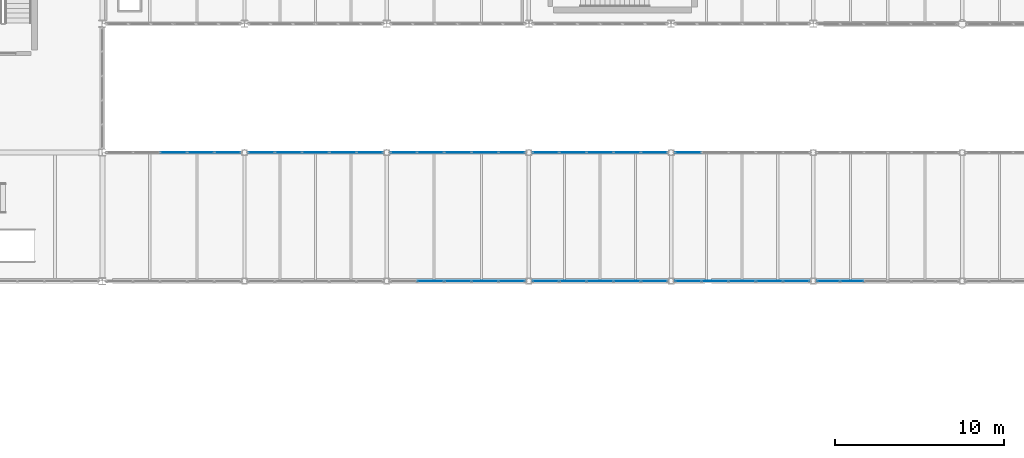
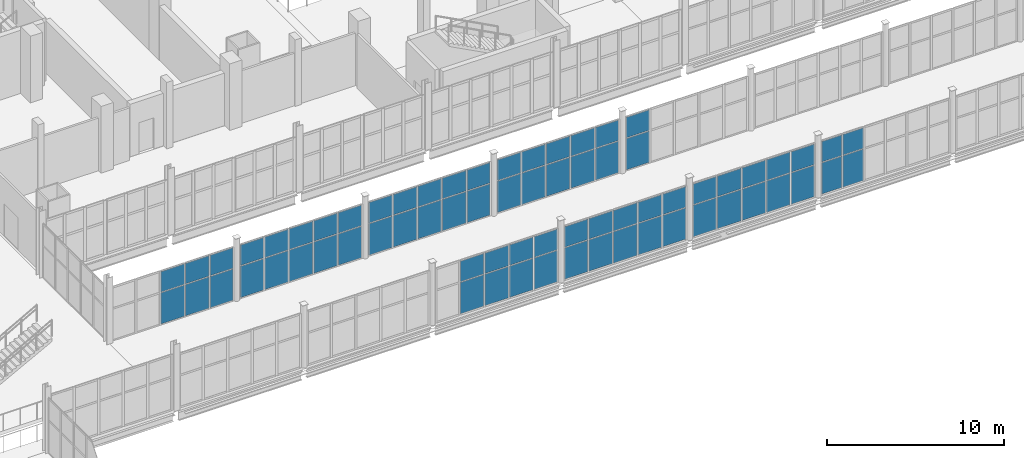
# One storey, part 130 of 172: 70 plates, 9 elements without a shape of their own.
"""IFC4 building model written with IfcOpenShell, lengths in metres."""

from ifc_helpers import new_model, si_unit, direction, frame, origin, origin_2d, place, context, subcontext, project, spatial, rectangle, extrude, material, layer, layer_set, type_object, element, aggregate, save


model = new_model("IFC4")

# Units and contexts
model_context = context("Model", 3, precision=1e-05, world=origin(), true_north=direction((0.0, 1.0)))
body_context = subcontext(model_context, "Body", "Model", "MODEL_VIEW")
ifc_project = project(units=[si_unit("LENGTHUNIT", "METRE"), si_unit("AREAUNIT", "SQUARE_METRE"), si_unit("VOLUMEUNIT", "CUBIC_METRE"), si_unit("PLANEANGLEUNIT", "RADIAN"), si_unit("MASSUNIT", "GRAM", prefix="KILO")], contexts=[model_context])

# Site, building, storey
site_placement = place(None, origin())
site = spatial("IfcSite", under=ifc_project, at=site_placement, CompositionType="ELEMENT")
building_placement = place(site_placement, origin())
building = spatial("IfcBuilding", under=site, at=building_placement, Name="Shengluoqiao Park Theatre", CompositionType="ELEMENT")
storey_placement = place(building_placement, frame((0.0, 0.0, 5.39990234375)))
storey = spatial("IfcBuildingStorey", under=building, at=storey_placement, Name="L01", CompositionType="ELEMENT", Elevation=5.39990234375)

# Curtain wall, plates
ifc_material_1 = material(Name="Aluminium 6063-T6", Category="aluminium")
curtain_wall_type = type_object("IfcCurtainWallType", Name="ENV-CW-BRIDGE", PredefinedType="NOTDEFINED", material=ifc_material_1)
curtain_wall_1_placement = place(storey_placement, origin())
curtain_wall_1 = element("IfcCurtainWall", 1, at=curtain_wall_1_placement, inside=storey, type_object=curtain_wall_type, Name="L01 Curtain Wall CWX-L01-0125", PredefinedType="NOTDEFINED")
ifc_material_2 = material(Name="Insulated glass", Category="glass")
ifc_layer = layer(ifc_material_2, 0.0380859375, Name="Insulated glass")
ifc_layer_set = layer_set([ifc_layer], Name="Insulated glass")
plate_type = type_object("IfcPlateType", Name="ENV-GLZ-GL-38", PredefinedType="CURTAIN_PANEL", material=ifc_layer_set)
plate_1_placement = place(storey_placement, frame((63.792724609375, 53.199951171875, 0.06005859375), z_axis=(0.0, 0.0, 1.0), x_axis=(1.0, 0.0, 0.0)))
plate_1 = element("IfcPlate", 2, at=plate_1_placement, type_object=plate_type, Name="CW-03 panel 2.1", PredefinedType="CURTAIN_PANEL", context=body_context, shape_type="SweptSolid", body=[
    extrude(rectangle(XDim=1.547119140625, YDim=0.0380859375, at=origin_2d()), origin(), (0.0, 0.0, 1.0), 2.160888671875),
])
plate_2_placement = place(storey_placement, frame((63.792724609375, 53.199951171875, 2.28125), z_axis=(0.0, 0.0, 1.0), x_axis=(1.0, 0.0, 0.0)))
plate_2 = element("IfcPlate", 3, at=plate_2_placement, type_object=plate_type, Name="CW-03 panel 2.2", PredefinedType="CURTAIN_PANEL", context=body_context, shape_type="SweptSolid", body=[
    extrude(rectangle(XDim=1.547119140625, YDim=0.0380859375, at=origin_2d()), origin(), (0.0, 0.0, 1.0), 1.410888671875),
])
plate_3_placement = place(storey_placement, frame((65.39990234375, 53.199951171875, 0.06005859375), z_axis=(0.0, 0.0, 1.0), x_axis=(1.0, 0.0, 0.0)))
plate_3 = element("IfcPlate", 4, at=plate_3_placement, type_object=plate_type, Name="CW-03 panel 3.1", PredefinedType="CURTAIN_PANEL", context=body_context, shape_type="SweptSolid", body=[
    extrude(rectangle(XDim=1.547119140625, YDim=0.0380859375, at=origin_2d()), origin(), (0.0, 0.0, 1.0), 2.160888671875),
])
plate_4_placement = place(storey_placement, frame((65.39990234375, 53.199951171875, 2.28125), z_axis=(0.0, 0.0, 1.0), x_axis=(1.0, 0.0, 0.0)))
plate_4 = element("IfcPlate", 5, at=plate_4_placement, type_object=plate_type, Name="CW-03 panel 3.2", PredefinedType="CURTAIN_PANEL", context=body_context, shape_type="SweptSolid", body=[
    extrude(rectangle(XDim=1.547119140625, YDim=0.0380859375, at=origin_2d()), origin(), (0.0, 0.0, 1.0), 1.410888671875),
])
plate_5_placement = place(storey_placement, frame((67.007080078125, 53.199951171875, 0.06005859375), z_axis=(0.0, 0.0, 1.0), x_axis=(1.0, 0.0, 0.0)))
plate_5 = element("IfcPlate", 6, at=plate_5_placement, type_object=plate_type, Name="CW-03 panel 4.1", PredefinedType="CURTAIN_PANEL", context=body_context, shape_type="SweptSolid", body=[
    extrude(rectangle(XDim=1.547119140625, YDim=0.0380859375, at=origin_2d()), origin(), (0.0, 0.0, 1.0), 2.160888671875),
])
plate_6_placement = place(storey_placement, frame((67.007080078125, 53.199951171875, 2.28125), z_axis=(0.0, 0.0, 1.0), x_axis=(1.0, 0.0, 0.0)))
plate_6 = element("IfcPlate", 7, at=plate_6_placement, type_object=plate_type, Name="CW-03 panel 4.2", PredefinedType="CURTAIN_PANEL", context=body_context, shape_type="SweptSolid", body=[
    extrude(rectangle(XDim=1.547119140625, YDim=0.0380859375, at=origin_2d()), origin(), (0.0, 0.0, 1.0), 1.410888671875),
])
plate_7_placement = place(storey_placement, frame((68.599365234375, 53.199951171875, 0.06005859375), z_axis=(0.0, 0.0, 1.0), x_axis=(1.0, 0.0, 0.0)))
plate_7 = element("IfcPlate", 8, at=plate_7_placement, type_object=plate_type, Name="CW-03 panel 5.1", PredefinedType="CURTAIN_PANEL", context=body_context, shape_type="SweptSolid", body=[
    extrude(rectangle(XDim=1.51708984375, YDim=0.0380859375, at=origin_2d()), origin(), (0.0, 0.0, 1.0), 2.160888671875),
])
plate_8_placement = place(storey_placement, frame((68.599365234375, 53.199951171875, 2.28125), z_axis=(0.0, 0.0, 1.0), x_axis=(1.0, 0.0, 0.0)))
plate_8 = element("IfcPlate", 9, at=plate_8_placement, type_object=plate_type, Name="CW-03 panel 5.2", PredefinedType="CURTAIN_PANEL", context=body_context, shape_type="SweptSolid", body=[
    extrude(rectangle(XDim=1.51708984375, YDim=0.0380859375, at=origin_2d()), origin(), (0.0, 0.0, 1.0), 1.410888671875),
])
aggregate(curtain_wall_1, [plate_1, plate_2, plate_3, plate_4, plate_5, plate_6, plate_7, plate_8])

curtain_wall_2_placement = place(storey_placement, origin())
curtain_wall_2 = element("IfcCurtainWall", 10, at=curtain_wall_2_placement, inside=storey, type_object=curtain_wall_type, Name="L01 Curtain Wall CWX-L01-0126", PredefinedType="NOTDEFINED")
plate_9_placement = place(storey_placement, frame((70.6005859375, 53.199951171875, 0.06005859375), z_axis=(0.0, 0.0, 1.0), x_axis=(1.0, 0.0, 0.0)))
plate_9 = element("IfcPlate", 11, at=plate_9_placement, type_object=plate_type, Name="CW-03 panel 1.1", PredefinedType="CURTAIN_PANEL", context=body_context, shape_type="SweptSolid", body=[
    extrude(rectangle(XDim=1.51708984375, YDim=0.0380859375, at=origin_2d()), origin(), (0.0, 0.0, 1.0), 2.160888671875),
])
plate_10_placement = place(storey_placement, frame((70.6005859375, 53.199951171875, 2.28125), z_axis=(0.0, 0.0, 1.0), x_axis=(1.0, 0.0, 0.0)))
plate_10 = element("IfcPlate", 12, at=plate_10_placement, type_object=plate_type, Name="CW-03 panel 1.2", PredefinedType="CURTAIN_PANEL", context=body_context, shape_type="SweptSolid", body=[
    extrude(rectangle(XDim=1.51708984375, YDim=0.0380859375, at=origin_2d()), origin(), (0.0, 0.0, 1.0), 1.410888671875),
])
plate_11_placement = place(storey_placement, frame((72.19287109375, 53.199951171875, 0.06005859375), z_axis=(0.0, 0.0, 1.0), x_axis=(1.0, 0.0, 0.0)))
plate_11 = element("IfcPlate", 13, at=plate_11_placement, type_object=plate_type, Name="CW-03 panel 2.1", PredefinedType="CURTAIN_PANEL", context=body_context, shape_type="SweptSolid", body=[
    extrude(rectangle(XDim=1.547119140625, YDim=0.0380859375, at=origin_2d()), origin(), (0.0, 0.0, 1.0), 2.160888671875),
])
plate_12_placement = place(storey_placement, frame((72.19287109375, 53.199951171875, 2.28125), z_axis=(0.0, 0.0, 1.0), x_axis=(1.0, 0.0, 0.0)))
plate_12 = element("IfcPlate", 14, at=plate_12_placement, type_object=plate_type, Name="CW-03 panel 2.2", PredefinedType="CURTAIN_PANEL", context=body_context, shape_type="SweptSolid", body=[
    extrude(rectangle(XDim=1.547119140625, YDim=0.0380859375, at=origin_2d()), origin(), (0.0, 0.0, 1.0), 1.410888671875),
])
plate_13_placement = place(storey_placement, frame((73.800048828125, 53.199951171875, 0.06005859375), z_axis=(0.0, 0.0, 1.0), x_axis=(1.0, 0.0, 0.0)))
plate_13 = element("IfcPlate", 15, at=plate_13_placement, type_object=plate_type, Name="CW-03 panel 3.1", PredefinedType="CURTAIN_PANEL", context=body_context, shape_type="SweptSolid", body=[
    extrude(rectangle(XDim=1.547119140625, YDim=0.0380859375, at=origin_2d()), origin(), (0.0, 0.0, 1.0), 2.160888671875),
])
plate_14_placement = place(storey_placement, frame((73.800048828125, 53.199951171875, 2.28125), z_axis=(0.0, 0.0, 1.0), x_axis=(1.0, 0.0, 0.0)))
plate_14 = element("IfcPlate", 16, at=plate_14_placement, type_object=plate_type, Name="CW-03 panel 3.2", PredefinedType="CURTAIN_PANEL", context=body_context, shape_type="SweptSolid", body=[
    extrude(rectangle(XDim=1.547119140625, YDim=0.0380859375, at=origin_2d()), origin(), (0.0, 0.0, 1.0), 1.410888671875),
])
plate_15_placement = place(storey_placement, frame((75.4072265625, 53.199951171875, 0.06005859375), z_axis=(0.0, 0.0, 1.0), x_axis=(1.0, 0.0, 0.0)))
plate_15 = element("IfcPlate", 17, at=plate_15_placement, type_object=plate_type, Name="CW-03 panel 4.1", PredefinedType="CURTAIN_PANEL", context=body_context, shape_type="SweptSolid", body=[
    extrude(rectangle(XDim=1.547119140625, YDim=0.0380859375, at=origin_2d()), origin(), (0.0, 0.0, 1.0), 2.160888671875),
])
plate_16_placement = place(storey_placement, frame((75.4072265625, 53.199951171875, 2.28125), z_axis=(0.0, 0.0, 1.0), x_axis=(1.0, 0.0, 0.0)))
plate_16 = element("IfcPlate", 18, at=plate_16_placement, type_object=plate_type, Name="CW-03 panel 4.2", PredefinedType="CURTAIN_PANEL", context=body_context, shape_type="SweptSolid", body=[
    extrude(rectangle(XDim=1.547119140625, YDim=0.0380859375, at=origin_2d()), origin(), (0.0, 0.0, 1.0), 1.410888671875),
])
plate_17_placement = place(storey_placement, frame((76.99951171875, 53.199951171875, 0.06005859375), z_axis=(0.0, 0.0, 1.0), x_axis=(1.0, 0.0, 0.0)))
plate_17 = element("IfcPlate", 19, at=plate_17_placement, type_object=plate_type, Name="CW-03 panel 5.1", PredefinedType="CURTAIN_PANEL", context=body_context, shape_type="SweptSolid", body=[
    extrude(rectangle(XDim=1.51708984375, YDim=0.0380859375, at=origin_2d()), origin(), (0.0, 0.0, 1.0), 2.160888671875),
])
plate_18_placement = place(storey_placement, frame((76.99951171875, 53.199951171875, 2.28125), z_axis=(0.0, 0.0, 1.0), x_axis=(1.0, 0.0, 0.0)))
plate_18 = element("IfcPlate", 20, at=plate_18_placement, type_object=plate_type, Name="CW-03 panel 5.2", PredefinedType="CURTAIN_PANEL", context=body_context, shape_type="SweptSolid", body=[
    extrude(rectangle(XDim=1.51708984375, YDim=0.0380859375, at=origin_2d()), origin(), (0.0, 0.0, 1.0), 1.410888671875),
])
aggregate(curtain_wall_2, [plate_9, plate_10, plate_11, plate_12, plate_13, plate_14, plate_15, plate_16, plate_17, plate_18])

curtain_wall_3_placement = place(storey_placement, origin())
curtain_wall_3 = element("IfcCurtainWall", 21, at=curtain_wall_3_placement, inside=storey, type_object=curtain_wall_type, Name="L01 Curtain Wall CWX-L01-0127", PredefinedType="NOTDEFINED")
plate_19_placement = place(storey_placement, frame((79.00048828125, 53.199951171875, 0.06005859375), z_axis=(0.0, 0.0, 1.0), x_axis=(1.0, 0.0, 0.0)))
plate_19 = element("IfcPlate", 22, at=plate_19_placement, type_object=plate_type, Name="CW-03 panel 1.1", PredefinedType="CURTAIN_PANEL", context=body_context, shape_type="SweptSolid", body=[
    extrude(rectangle(XDim=1.51708984375, YDim=0.0380859375, at=origin_2d()), origin(), (0.0, 0.0, 1.0), 2.160888671875),
])
plate_20_placement = place(storey_placement, frame((79.00048828125, 53.199951171875, 2.28125), z_axis=(0.0, 0.0, 1.0), x_axis=(1.0, 0.0, 0.0)))
plate_20 = element("IfcPlate", 23, at=plate_20_placement, type_object=plate_type, Name="CW-03 panel 1.2", PredefinedType="CURTAIN_PANEL", context=body_context, shape_type="SweptSolid", body=[
    extrude(rectangle(XDim=1.51708984375, YDim=0.0380859375, at=origin_2d()), origin(), (0.0, 0.0, 1.0), 1.410888671875),
])
plate_21_placement = place(storey_placement, frame((80.5927734375, 53.199951171875, 0.06005859375), z_axis=(0.0, 0.0, 1.0), x_axis=(1.0, 0.0, 0.0)))
plate_21 = element("IfcPlate", 24, at=plate_21_placement, type_object=plate_type, Name="CW-03 panel 2.1", PredefinedType="CURTAIN_PANEL", context=body_context, shape_type="SweptSolid", body=[
    extrude(rectangle(XDim=1.547119140625, YDim=0.0380859375, at=origin_2d()), origin(), (0.0, 0.0, 1.0), 2.160888671875),
])
plate_22_placement = place(storey_placement, frame((80.5927734375, 53.199951171875, 2.28125), z_axis=(0.0, 0.0, 1.0), x_axis=(1.0, 0.0, 0.0)))
plate_22 = element("IfcPlate", 25, at=plate_22_placement, type_object=plate_type, Name="CW-03 panel 2.2", PredefinedType="CURTAIN_PANEL", context=body_context, shape_type="SweptSolid", body=[
    extrude(rectangle(XDim=1.547119140625, YDim=0.0380859375, at=origin_2d()), origin(), (0.0, 0.0, 1.0), 1.410888671875),
])
plate_23_placement = place(storey_placement, frame((82.199951171875, 53.199951171875, 0.06005859375), z_axis=(0.0, 0.0, 1.0), x_axis=(1.0, 0.0, 0.0)))
plate_23 = element("IfcPlate", 26, at=plate_23_placement, type_object=plate_type, Name="CW-03 panel 3.1", PredefinedType="CURTAIN_PANEL", context=body_context, shape_type="SweptSolid", body=[
    extrude(rectangle(XDim=1.547119140625, YDim=0.0380859375, at=origin_2d()), origin(), (0.0, 0.0, 1.0), 2.160888671875),
])
plate_24_placement = place(storey_placement, frame((82.199951171875, 53.199951171875, 2.28125), z_axis=(0.0, 0.0, 1.0), x_axis=(1.0, 0.0, 0.0)))
plate_24 = element("IfcPlate", 27, at=plate_24_placement, type_object=plate_type, Name="CW-03 panel 3.2", PredefinedType="CURTAIN_PANEL", context=body_context, shape_type="SweptSolid", body=[
    extrude(rectangle(XDim=1.547119140625, YDim=0.0380859375, at=origin_2d()), origin(), (0.0, 0.0, 1.0), 1.410888671875),
])
plate_25_placement = place(storey_placement, frame((83.80712890625, 53.199951171875, 0.06005859375), z_axis=(0.0, 0.0, 1.0), x_axis=(1.0, 0.0, 0.0)))
plate_25 = element("IfcPlate", 28, at=plate_25_placement, type_object=plate_type, Name="CW-03 panel 4.1", PredefinedType="CURTAIN_PANEL", context=body_context, shape_type="SweptSolid", body=[
    extrude(rectangle(XDim=1.547119140625, YDim=0.0380859375, at=origin_2d()), origin(), (0.0, 0.0, 1.0), 2.160888671875),
])
plate_26_placement = place(storey_placement, frame((83.80712890625, 53.199951171875, 2.28125), z_axis=(0.0, 0.0, 1.0), x_axis=(1.0, 0.0, 0.0)))
plate_26 = element("IfcPlate", 29, at=plate_26_placement, type_object=plate_type, Name="CW-03 panel 4.2", PredefinedType="CURTAIN_PANEL", context=body_context, shape_type="SweptSolid", body=[
    extrude(rectangle(XDim=1.547119140625, YDim=0.0380859375, at=origin_2d()), origin(), (0.0, 0.0, 1.0), 1.410888671875),
])
plate_27_placement = place(storey_placement, frame((85.3994140625, 53.199951171875, 0.06005859375), z_axis=(0.0, 0.0, 1.0), x_axis=(1.0, 0.0, 0.0)))
plate_27 = element("IfcPlate", 30, at=plate_27_placement, type_object=plate_type, Name="CW-03 panel 5.1", PredefinedType="CURTAIN_PANEL", context=body_context, shape_type="SweptSolid", body=[
    extrude(rectangle(XDim=1.51708984375, YDim=0.0380859375, at=origin_2d()), origin(), (0.0, 0.0, 1.0), 2.160888671875),
])
plate_28_placement = place(storey_placement, frame((85.3994140625, 53.199951171875, 2.28125), z_axis=(0.0, 0.0, 1.0), x_axis=(1.0, 0.0, 0.0)))
plate_28 = element("IfcPlate", 31, at=plate_28_placement, type_object=plate_type, Name="CW-03 panel 5.2", PredefinedType="CURTAIN_PANEL", context=body_context, shape_type="SweptSolid", body=[
    extrude(rectangle(XDim=1.51708984375, YDim=0.0380859375, at=origin_2d()), origin(), (0.0, 0.0, 1.0), 1.410888671875),
])
aggregate(curtain_wall_3, [plate_19, plate_20, plate_21, plate_22, plate_23, plate_24, plate_25, plate_26, plate_27, plate_28])

curtain_wall_4_placement = place(storey_placement, origin())
curtain_wall_4 = element("IfcCurtainWall", 32, at=curtain_wall_4_placement, inside=storey, type_object=curtain_wall_type, Name="L01 Curtain Wall CWX-L01-0128", PredefinedType="NOTDEFINED")
plate_29_placement = place(storey_placement, frame((87.300048828125, 53.199951171875, 0.06005859375), z_axis=(0.0, 0.0, 1.0), x_axis=(1.0, 0.0, 0.0)))
plate_29 = element("IfcPlate", 33, at=plate_29_placement, type_object=plate_type, Name="CW-03 panel 1.1", PredefinedType="CURTAIN_PANEL", context=body_context, shape_type="SweptSolid", body=[
    extrude(rectangle(XDim=1.31591796875, YDim=0.0380859375, at=origin_2d()), origin(), (0.0, 0.0, 1.0), 2.160888671875),
])
plate_30_placement = place(storey_placement, frame((87.300048828125, 53.199951171875, 2.28125), z_axis=(0.0, 0.0, 1.0), x_axis=(1.0, 0.0, 0.0)))
plate_30 = element("IfcPlate", 34, at=plate_30_placement, type_object=plate_type, Name="CW-03 panel 1.2", PredefinedType="CURTAIN_PANEL", context=body_context, shape_type="SweptSolid", body=[
    extrude(rectangle(XDim=1.31591796875, YDim=0.0380859375, at=origin_2d()), origin(), (0.0, 0.0, 1.0), 1.410888671875),
])
plate_31_placement = place(storey_placement, frame((88.69091796875, 53.199951171875, 0.06005859375), z_axis=(0.0, 0.0, 1.0), x_axis=(1.0, 0.0, 0.0)))
plate_31 = element("IfcPlate", 35, at=plate_31_placement, type_object=plate_type, Name="CW-03 panel 2.1", PredefinedType="CURTAIN_PANEL", context=body_context, shape_type="SweptSolid", body=[
    extrude(rectangle(XDim=1.345947265625, YDim=0.0380859375, at=origin_2d()), origin(), (0.0, 0.0, 1.0), 2.160888671875),
])
plate_32_placement = place(storey_placement, frame((88.69091796875, 53.199951171875, 2.28125), z_axis=(0.0, 0.0, 1.0), x_axis=(1.0, 0.0, 0.0)))
plate_32 = element("IfcPlate", 36, at=plate_32_placement, type_object=plate_type, Name="CW-03 panel 2.2", PredefinedType="CURTAIN_PANEL", context=body_context, shape_type="SweptSolid", body=[
    extrude(rectangle(XDim=1.345947265625, YDim=0.0380859375, at=origin_2d()), origin(), (0.0, 0.0, 1.0), 1.410888671875),
])
aggregate(curtain_wall_4, [plate_29, plate_30, plate_31, plate_32])

curtain_wall_5_placement = place(storey_placement, origin())
curtain_wall_5 = element("IfcCurtainWall", 37, at=curtain_wall_5_placement, inside=storey, type_object=curtain_wall_type, Name="L01 Curtain Wall CWX-L01-0136", PredefinedType="NOTDEFINED")
plate_33_placement = place(storey_placement, frame((48.611083984375, 60.800048828125, 0.06005859375), z_axis=(0.0, 0.0, 1.0), x_axis=(1.0, 0.0, 0.0)))
plate_33 = element("IfcPlate", 38, at=plate_33_placement, type_object=plate_type, Name="CW-03 panel 3.1", PredefinedType="CURTAIN_PANEL", context=body_context, shape_type="SweptSolid", body=[
    extrude(rectangle(XDim=1.542724609375, YDim=0.0380859375, at=origin_2d()), origin(), (0.0, 0.0, 1.0), 2.155029296875),
])
plate_34_placement = place(storey_placement, frame((48.611083984375, 60.800048828125, 2.27490234375), z_axis=(0.0, 0.0, 1.0), x_axis=(1.0, 0.0, 0.0)))
plate_34 = element("IfcPlate", 39, at=plate_34_placement, type_object=plate_type, Name="CW-03 panel 3.2", PredefinedType="CURTAIN_PANEL", context=body_context, shape_type="SweptSolid", body=[
    extrude(rectangle(XDim=1.542724609375, YDim=0.0380859375, at=origin_2d()), origin(), (0.0, 0.0, 1.0), 1.406982421875),
])
plate_35_placement = place(storey_placement, frame((50.2138671875, 60.800048828125, 0.06005859375), z_axis=(0.0, 0.0, 1.0), x_axis=(1.0, 0.0, 0.0)))
plate_35 = element("IfcPlate", 40, at=plate_35_placement, type_object=plate_type, Name="CW-03 panel 4.1", PredefinedType="CURTAIN_PANEL", context=body_context, shape_type="SweptSolid", body=[
    extrude(rectangle(XDim=1.542724609375, YDim=0.0380859375, at=origin_2d()), origin(), (0.0, 0.0, 1.0), 2.155029296875),
])
plate_36_placement = place(storey_placement, frame((50.2138671875, 60.800048828125, 2.27490234375), z_axis=(0.0, 0.0, 1.0), x_axis=(1.0, 0.0, 0.0)))
plate_36 = element("IfcPlate", 41, at=plate_36_placement, type_object=plate_type, Name="CW-03 panel 4.2", PredefinedType="CURTAIN_PANEL", context=body_context, shape_type="SweptSolid", body=[
    extrude(rectangle(XDim=1.542724609375, YDim=0.0380859375, at=origin_2d()), origin(), (0.0, 0.0, 1.0), 1.406982421875),
])
plate_37_placement = place(storey_placement, frame((51.801513671875, 60.800048828125, 0.06005859375), z_axis=(0.0, 0.0, 1.0), x_axis=(1.0, 0.0, 0.0)))
plate_37 = element("IfcPlate", 42, at=plate_37_placement, type_object=plate_type, Name="CW-03 panel 5.1", PredefinedType="CURTAIN_PANEL", context=body_context, shape_type="SweptSolid", body=[
    extrude(rectangle(XDim=1.5126953125, YDim=0.0380859375, at=origin_2d()), origin(), (0.0, 0.0, 1.0), 2.155029296875),
])
plate_38_placement = place(storey_placement, frame((51.801513671875, 60.800048828125, 2.27490234375), z_axis=(0.0, 0.0, 1.0), x_axis=(1.0, 0.0, 0.0)))
plate_38 = element("IfcPlate", 43, at=plate_38_placement, type_object=plate_type, Name="CW-03 panel 5.2", PredefinedType="CURTAIN_PANEL", context=body_context, shape_type="SweptSolid", body=[
    extrude(rectangle(XDim=1.5126953125, YDim=0.0380859375, at=origin_2d()), origin(), (0.0, 0.0, 1.0), 1.406982421875),
])
aggregate(curtain_wall_5, [plate_33, plate_34, plate_35, plate_36, plate_37, plate_38])

curtain_wall_6_placement = place(storey_placement, origin())
curtain_wall_6 = element("IfcCurtainWall", 44, at=curtain_wall_6_placement, inside=storey, type_object=curtain_wall_type, Name="L01 Curtain Wall CWX-L01-0137", PredefinedType="NOTDEFINED")
plate_39_placement = place(storey_placement, frame((53.800537109375, 60.800048828125, 0.06005859375), z_axis=(0.0, 0.0, 1.0), x_axis=(1.0, 0.0, 0.0)))
plate_39 = element("IfcPlate", 45, at=plate_39_placement, type_object=plate_type, Name="CW-03 panel 1.1", PredefinedType="CURTAIN_PANEL", context=body_context, shape_type="SweptSolid", body=[
    extrude(rectangle(XDim=1.51708984375, YDim=0.0380859375, at=origin_2d()), origin(), (0.0, 0.0, 1.0), 2.160888671875),
])
plate_40_placement = place(storey_placement, frame((53.800537109375, 60.800048828125, 2.28125), z_axis=(0.0, 0.0, 1.0), x_axis=(1.0, 0.0, 0.0)))
plate_40 = element("IfcPlate", 46, at=plate_40_placement, type_object=plate_type, Name="CW-03 panel 1.2", PredefinedType="CURTAIN_PANEL", context=body_context, shape_type="SweptSolid", body=[
    extrude(rectangle(XDim=1.51708984375, YDim=0.0380859375, at=origin_2d()), origin(), (0.0, 0.0, 1.0), 1.410888671875),
])
plate_41_placement = place(storey_placement, frame((55.392822265625, 60.800048828125, 0.06005859375), z_axis=(0.0, 0.0, 1.0), x_axis=(1.0, 0.0, 0.0)))
plate_41 = element("IfcPlate", 47, at=plate_41_placement, type_object=plate_type, Name="CW-03 panel 2.1", PredefinedType="CURTAIN_PANEL", context=body_context, shape_type="SweptSolid", body=[
    extrude(rectangle(XDim=1.547119140625, YDim=0.0380859375, at=origin_2d()), origin(), (0.0, 0.0, 1.0), 2.160888671875),
])
plate_42_placement = place(storey_placement, frame((55.392822265625, 60.800048828125, 2.28125), z_axis=(0.0, 0.0, 1.0), x_axis=(1.0, 0.0, 0.0)))
plate_42 = element("IfcPlate", 48, at=plate_42_placement, type_object=plate_type, Name="CW-03 panel 2.2", PredefinedType="CURTAIN_PANEL", context=body_context, shape_type="SweptSolid", body=[
    extrude(rectangle(XDim=1.547119140625, YDim=0.0380859375, at=origin_2d()), origin(), (0.0, 0.0, 1.0), 1.410888671875),
])
plate_43_placement = place(storey_placement, frame((57.0, 60.800048828125, 0.06005859375), z_axis=(0.0, 0.0, 1.0), x_axis=(1.0, 0.0, 0.0)))
plate_43 = element("IfcPlate", 49, at=plate_43_placement, type_object=plate_type, Name="CW-03 panel 3.1", PredefinedType="CURTAIN_PANEL", context=body_context, shape_type="SweptSolid", body=[
    extrude(rectangle(XDim=1.547119140625, YDim=0.0380859375, at=origin_2d()), origin(), (0.0, 0.0, 1.0), 2.160888671875),
])
plate_44_placement = place(storey_placement, frame((57.0, 60.800048828125, 2.28125), z_axis=(0.0, 0.0, 1.0), x_axis=(1.0, 0.0, 0.0)))
plate_44 = element("IfcPlate", 50, at=plate_44_placement, type_object=plate_type, Name="CW-03 panel 3.2", PredefinedType="CURTAIN_PANEL", context=body_context, shape_type="SweptSolid", body=[
    extrude(rectangle(XDim=1.547119140625, YDim=0.0380859375, at=origin_2d()), origin(), (0.0, 0.0, 1.0), 1.410888671875),
])
plate_45_placement = place(storey_placement, frame((58.607177734375, 60.800048828125, 0.06005859375), z_axis=(0.0, 0.0, 1.0), x_axis=(1.0, 0.0, 0.0)))
plate_45 = element("IfcPlate", 51, at=plate_45_placement, type_object=plate_type, Name="CW-03 panel 4.1", PredefinedType="CURTAIN_PANEL", context=body_context, shape_type="SweptSolid", body=[
    extrude(rectangle(XDim=1.547119140625, YDim=0.0380859375, at=origin_2d()), origin(), (0.0, 0.0, 1.0), 2.160888671875),
])
plate_46_placement = place(storey_placement, frame((58.607177734375, 60.800048828125, 2.28125), z_axis=(0.0, 0.0, 1.0), x_axis=(1.0, 0.0, 0.0)))
plate_46 = element("IfcPlate", 52, at=plate_46_placement, type_object=plate_type, Name="CW-03 panel 4.2", PredefinedType="CURTAIN_PANEL", context=body_context, shape_type="SweptSolid", body=[
    extrude(rectangle(XDim=1.547119140625, YDim=0.0380859375, at=origin_2d()), origin(), (0.0, 0.0, 1.0), 1.410888671875),
])
plate_47_placement = place(storey_placement, frame((60.199462890625, 60.800048828125, 0.06005859375), z_axis=(0.0, 0.0, 1.0), x_axis=(1.0, 0.0, 0.0)))
plate_47 = element("IfcPlate", 53, at=plate_47_placement, type_object=plate_type, Name="CW-03 panel 5.1", PredefinedType="CURTAIN_PANEL", context=body_context, shape_type="SweptSolid", body=[
    extrude(rectangle(XDim=1.51708984375, YDim=0.0380859375, at=origin_2d()), origin(), (0.0, 0.0, 1.0), 2.160888671875),
])
plate_48_placement = place(storey_placement, frame((60.199462890625, 60.800048828125, 2.28125), z_axis=(0.0, 0.0, 1.0), x_axis=(1.0, 0.0, 0.0)))
plate_48 = element("IfcPlate", 54, at=plate_48_placement, type_object=plate_type, Name="CW-03 panel 5.2", PredefinedType="CURTAIN_PANEL", context=body_context, shape_type="SweptSolid", body=[
    extrude(rectangle(XDim=1.51708984375, YDim=0.0380859375, at=origin_2d()), origin(), (0.0, 0.0, 1.0), 1.410888671875),
])
aggregate(curtain_wall_6, [plate_39, plate_40, plate_41, plate_42, plate_43, plate_44, plate_45, plate_46, plate_47, plate_48])

curtain_wall_7_placement = place(storey_placement, origin())
curtain_wall_7 = element("IfcCurtainWall", 55, at=curtain_wall_7_placement, inside=storey, type_object=curtain_wall_type, Name="L01 Curtain Wall CWX-L01-0138", PredefinedType="NOTDEFINED")
plate_49_placement = place(storey_placement, frame((62.20068359375, 60.800048828125, 0.06005859375), z_axis=(0.0, 0.0, 1.0), x_axis=(1.0, 0.0, 0.0)))
plate_49 = element("IfcPlate", 56, at=plate_49_placement, type_object=plate_type, Name="CW-03 panel 1.1", PredefinedType="CURTAIN_PANEL", context=body_context, shape_type="SweptSolid", body=[
    extrude(rectangle(XDim=1.51708984375, YDim=0.0380859375, at=origin_2d()), origin(), (0.0, 0.0, 1.0), 2.160888671875),
])
plate_50_placement = place(storey_placement, frame((62.20068359375, 60.800048828125, 2.28125), z_axis=(0.0, 0.0, 1.0), x_axis=(1.0, 0.0, 0.0)))
plate_50 = element("IfcPlate", 57, at=plate_50_placement, type_object=plate_type, Name="CW-03 panel 1.2", PredefinedType="CURTAIN_PANEL", context=body_context, shape_type="SweptSolid", body=[
    extrude(rectangle(XDim=1.51708984375, YDim=0.0380859375, at=origin_2d()), origin(), (0.0, 0.0, 1.0), 1.410888671875),
])
plate_51_placement = place(storey_placement, frame((63.792724609375, 60.800048828125, 0.06005859375), z_axis=(0.0, 0.0, 1.0), x_axis=(1.0, 0.0, 0.0)))
plate_51 = element("IfcPlate", 58, at=plate_51_placement, type_object=plate_type, Name="CW-03 panel 2.1", PredefinedType="CURTAIN_PANEL", context=body_context, shape_type="SweptSolid", body=[
    extrude(rectangle(XDim=1.547119140625, YDim=0.0380859375, at=origin_2d()), origin(), (0.0, 0.0, 1.0), 2.160888671875),
])
plate_52_placement = place(storey_placement, frame((63.792724609375, 60.800048828125, 2.28125), z_axis=(0.0, 0.0, 1.0), x_axis=(1.0, 0.0, 0.0)))
plate_52 = element("IfcPlate", 59, at=plate_52_placement, type_object=plate_type, Name="CW-03 panel 2.2", PredefinedType="CURTAIN_PANEL", context=body_context, shape_type="SweptSolid", body=[
    extrude(rectangle(XDim=1.547119140625, YDim=0.0380859375, at=origin_2d()), origin(), (0.0, 0.0, 1.0), 1.410888671875),
])
plate_53_placement = place(storey_placement, frame((65.39990234375, 60.800048828125, 0.06005859375), z_axis=(0.0, 0.0, 1.0), x_axis=(1.0, 0.0, 0.0)))
plate_53 = element("IfcPlate", 60, at=plate_53_placement, type_object=plate_type, Name="CW-03 panel 3.1", PredefinedType="CURTAIN_PANEL", context=body_context, shape_type="SweptSolid", body=[
    extrude(rectangle(XDim=1.547119140625, YDim=0.0380859375, at=origin_2d()), origin(), (0.0, 0.0, 1.0), 2.160888671875),
])
plate_54_placement = place(storey_placement, frame((65.39990234375, 60.800048828125, 2.28125), z_axis=(0.0, 0.0, 1.0), x_axis=(1.0, 0.0, 0.0)))
plate_54 = element("IfcPlate", 61, at=plate_54_placement, type_object=plate_type, Name="CW-03 panel 3.2", PredefinedType="CURTAIN_PANEL", context=body_context, shape_type="SweptSolid", body=[
    extrude(rectangle(XDim=1.547119140625, YDim=0.0380859375, at=origin_2d()), origin(), (0.0, 0.0, 1.0), 1.410888671875),
])
plate_55_placement = place(storey_placement, frame((67.007080078125, 60.800048828125, 0.06005859375), z_axis=(0.0, 0.0, 1.0), x_axis=(1.0, 0.0, 0.0)))
plate_55 = element("IfcPlate", 62, at=plate_55_placement, type_object=plate_type, Name="CW-03 panel 4.1", PredefinedType="CURTAIN_PANEL", context=body_context, shape_type="SweptSolid", body=[
    extrude(rectangle(XDim=1.547119140625, YDim=0.0380859375, at=origin_2d()), origin(), (0.0, 0.0, 1.0), 2.160888671875),
])
plate_56_placement = place(storey_placement, frame((67.007080078125, 60.800048828125, 2.28125), z_axis=(0.0, 0.0, 1.0), x_axis=(1.0, 0.0, 0.0)))
plate_56 = element("IfcPlate", 63, at=plate_56_placement, type_object=plate_type, Name="CW-03 panel 4.2", PredefinedType="CURTAIN_PANEL", context=body_context, shape_type="SweptSolid", body=[
    extrude(rectangle(XDim=1.547119140625, YDim=0.0380859375, at=origin_2d()), origin(), (0.0, 0.0, 1.0), 1.410888671875),
])
plate_57_placement = place(storey_placement, frame((68.599365234375, 60.800048828125, 0.06005859375), z_axis=(0.0, 0.0, 1.0), x_axis=(1.0, 0.0, 0.0)))
plate_57 = element("IfcPlate", 64, at=plate_57_placement, type_object=plate_type, Name="CW-03 panel 5.1", PredefinedType="CURTAIN_PANEL", context=body_context, shape_type="SweptSolid", body=[
    extrude(rectangle(XDim=1.51708984375, YDim=0.0380859375, at=origin_2d()), origin(), (0.0, 0.0, 1.0), 2.160888671875),
])
plate_58_placement = place(storey_placement, frame((68.599365234375, 60.800048828125, 2.28125), z_axis=(0.0, 0.0, 1.0), x_axis=(1.0, 0.0, 0.0)))
plate_58 = element("IfcPlate", 65, at=plate_58_placement, type_object=plate_type, Name="CW-03 panel 5.2", PredefinedType="CURTAIN_PANEL", context=body_context, shape_type="SweptSolid", body=[
    extrude(rectangle(XDim=1.51708984375, YDim=0.0380859375, at=origin_2d()), origin(), (0.0, 0.0, 1.0), 1.410888671875),
])
aggregate(curtain_wall_7, [plate_49, plate_50, plate_51, plate_52, plate_53, plate_54, plate_55, plate_56, plate_57, plate_58])

curtain_wall_8_placement = place(storey_placement, origin())
curtain_wall_8 = element("IfcCurtainWall", 66, at=curtain_wall_8_placement, inside=storey, type_object=curtain_wall_type, Name="L01 Curtain Wall CWX-L01-0139", PredefinedType="NOTDEFINED")
plate_59_placement = place(storey_placement, frame((70.6005859375, 60.800048828125, 0.06005859375), z_axis=(0.0, 0.0, 1.0), x_axis=(1.0, 0.0, 0.0)))
plate_59 = element("IfcPlate", 67, at=plate_59_placement, type_object=plate_type, Name="CW-03 panel 1.1", PredefinedType="CURTAIN_PANEL", context=body_context, shape_type="SweptSolid", body=[
    extrude(rectangle(XDim=1.51708984375, YDim=0.0380859375, at=origin_2d()), origin(), (0.0, 0.0, 1.0), 2.160888671875),
])
plate_60_placement = place(storey_placement, frame((70.6005859375, 60.800048828125, 2.28125), z_axis=(0.0, 0.0, 1.0), x_axis=(1.0, 0.0, 0.0)))
plate_60 = element("IfcPlate", 68, at=plate_60_placement, type_object=plate_type, Name="CW-03 panel 1.2", PredefinedType="CURTAIN_PANEL", context=body_context, shape_type="SweptSolid", body=[
    extrude(rectangle(XDim=1.51708984375, YDim=0.0380859375, at=origin_2d()), origin(), (0.0, 0.0, 1.0), 1.410888671875),
])
plate_61_placement = place(storey_placement, frame((72.19287109375, 60.800048828125, 0.06005859375), z_axis=(0.0, 0.0, 1.0), x_axis=(1.0, 0.0, 0.0)))
plate_61 = element("IfcPlate", 69, at=plate_61_placement, type_object=plate_type, Name="CW-03 panel 2.1", PredefinedType="CURTAIN_PANEL", context=body_context, shape_type="SweptSolid", body=[
    extrude(rectangle(XDim=1.547119140625, YDim=0.0380859375, at=origin_2d()), origin(), (0.0, 0.0, 1.0), 2.160888671875),
])
plate_62_placement = place(storey_placement, frame((72.19287109375, 60.800048828125, 2.28125), z_axis=(0.0, 0.0, 1.0), x_axis=(1.0, 0.0, 0.0)))
plate_62 = element("IfcPlate", 70, at=plate_62_placement, type_object=plate_type, Name="CW-03 panel 2.2", PredefinedType="CURTAIN_PANEL", context=body_context, shape_type="SweptSolid", body=[
    extrude(rectangle(XDim=1.547119140625, YDim=0.0380859375, at=origin_2d()), origin(), (0.0, 0.0, 1.0), 1.410888671875),
])
plate_63_placement = place(storey_placement, frame((73.800048828125, 60.800048828125, 0.06005859375), z_axis=(0.0, 0.0, 1.0), x_axis=(1.0, 0.0, 0.0)))
plate_63 = element("IfcPlate", 71, at=plate_63_placement, type_object=plate_type, Name="CW-03 panel 3.1", PredefinedType="CURTAIN_PANEL", context=body_context, shape_type="SweptSolid", body=[
    extrude(rectangle(XDim=1.547119140625, YDim=0.0380859375, at=origin_2d()), origin(), (0.0, 0.0, 1.0), 2.160888671875),
])
plate_64_placement = place(storey_placement, frame((73.800048828125, 60.800048828125, 2.28125), z_axis=(0.0, 0.0, 1.0), x_axis=(1.0, 0.0, 0.0)))
plate_64 = element("IfcPlate", 72, at=plate_64_placement, type_object=plate_type, Name="CW-03 panel 3.2", PredefinedType="CURTAIN_PANEL", context=body_context, shape_type="SweptSolid", body=[
    extrude(rectangle(XDim=1.547119140625, YDim=0.0380859375, at=origin_2d()), origin(), (0.0, 0.0, 1.0), 1.410888671875),
])
plate_65_placement = place(storey_placement, frame((75.4072265625, 60.800048828125, 0.06005859375), z_axis=(0.0, 0.0, 1.0), x_axis=(1.0, 0.0, 0.0)))
plate_65 = element("IfcPlate", 73, at=plate_65_placement, type_object=plate_type, Name="CW-03 panel 4.1", PredefinedType="CURTAIN_PANEL", context=body_context, shape_type="SweptSolid", body=[
    extrude(rectangle(XDim=1.547119140625, YDim=0.0380859375, at=origin_2d()), origin(), (0.0, 0.0, 1.0), 2.160888671875),
])
plate_66_placement = place(storey_placement, frame((75.4072265625, 60.800048828125, 2.28125), z_axis=(0.0, 0.0, 1.0), x_axis=(1.0, 0.0, 0.0)))
plate_66 = element("IfcPlate", 74, at=plate_66_placement, type_object=plate_type, Name="CW-03 panel 4.2", PredefinedType="CURTAIN_PANEL", context=body_context, shape_type="SweptSolid", body=[
    extrude(rectangle(XDim=1.547119140625, YDim=0.0380859375, at=origin_2d()), origin(), (0.0, 0.0, 1.0), 1.410888671875),
])
plate_67_placement = place(storey_placement, frame((76.99951171875, 60.800048828125, 0.06005859375), z_axis=(0.0, 0.0, 1.0), x_axis=(1.0, 0.0, 0.0)))
plate_67 = element("IfcPlate", 75, at=plate_67_placement, type_object=plate_type, Name="CW-03 panel 5.1", PredefinedType="CURTAIN_PANEL", context=body_context, shape_type="SweptSolid", body=[
    extrude(rectangle(XDim=1.51708984375, YDim=0.0380859375, at=origin_2d()), origin(), (0.0, 0.0, 1.0), 2.160888671875),
])
plate_68_placement = place(storey_placement, frame((76.99951171875, 60.800048828125, 2.28125), z_axis=(0.0, 0.0, 1.0), x_axis=(1.0, 0.0, 0.0)))
plate_68 = element("IfcPlate", 76, at=plate_68_placement, type_object=plate_type, Name="CW-03 panel 5.2", PredefinedType="CURTAIN_PANEL", context=body_context, shape_type="SweptSolid", body=[
    extrude(rectangle(XDim=1.51708984375, YDim=0.0380859375, at=origin_2d()), origin(), (0.0, 0.0, 1.0), 1.410888671875),
])
aggregate(curtain_wall_8, [plate_59, plate_60, plate_61, plate_62, plate_63, plate_64, plate_65, plate_66, plate_67, plate_68])

curtain_wall_9_placement = place(storey_placement, origin())
curtain_wall_9 = element("IfcCurtainWall", 77, at=curtain_wall_9_placement, inside=storey, type_object=curtain_wall_type, Name="L01 Curtain Wall CWX-L01-0140", PredefinedType="NOTDEFINED")
plate_69_placement = place(storey_placement, frame((79.00048828125, 60.800048828125, 0.06005859375), z_axis=(0.0, 0.0, 1.0), x_axis=(1.0, 0.0, 0.0)))
plate_69 = element("IfcPlate", 78, at=plate_69_placement, type_object=plate_type, Name="CW-03 panel 1.1", PredefinedType="CURTAIN_PANEL", context=body_context, shape_type="SweptSolid", body=[
    extrude(rectangle(XDim=1.51708984375, YDim=0.0380859375, at=origin_2d()), origin(), (0.0, 0.0, 1.0), 2.160888671875),
])
plate_70_placement = place(storey_placement, frame((79.00048828125, 60.800048828125, 2.28125), z_axis=(0.0, 0.0, 1.0), x_axis=(1.0, 0.0, 0.0)))
plate_70 = element("IfcPlate", 79, at=plate_70_placement, type_object=plate_type, Name="CW-03 panel 1.2", PredefinedType="CURTAIN_PANEL", context=body_context, shape_type="SweptSolid", body=[
    extrude(rectangle(XDim=1.51708984375, YDim=0.0380859375, at=origin_2d()), origin(), (0.0, 0.0, 1.0), 1.410888671875),
])
aggregate(curtain_wall_9, [plate_69, plate_70])

save(model, "model.ifc")
